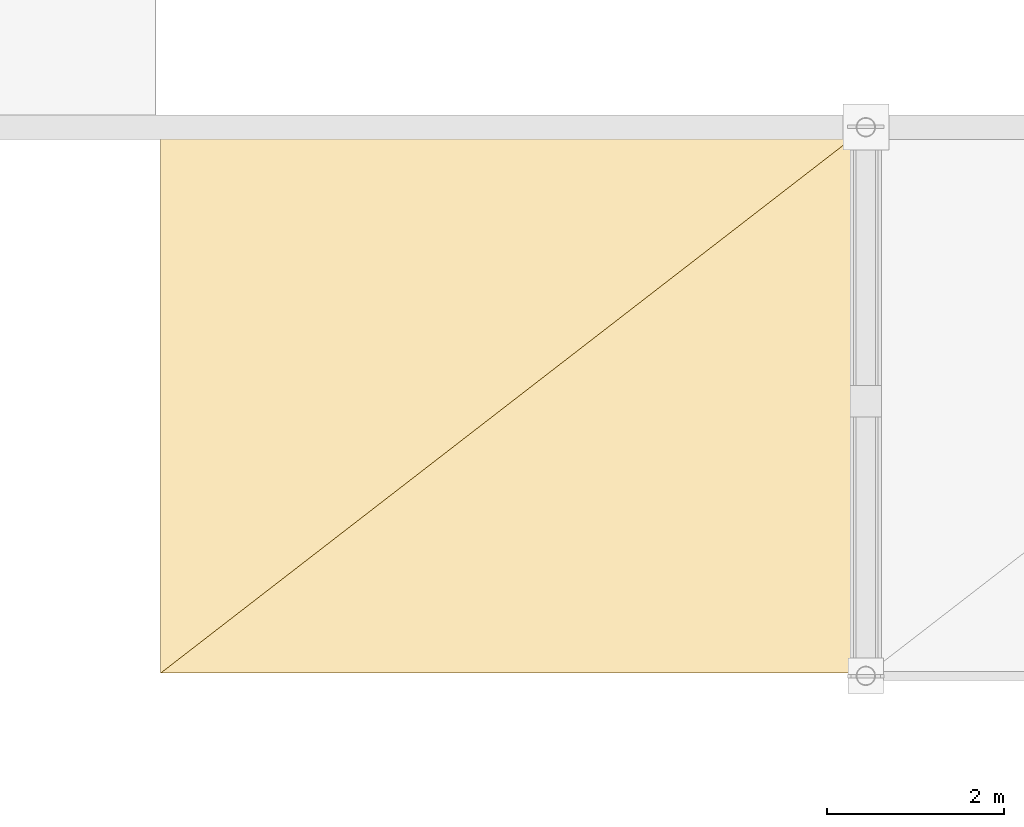
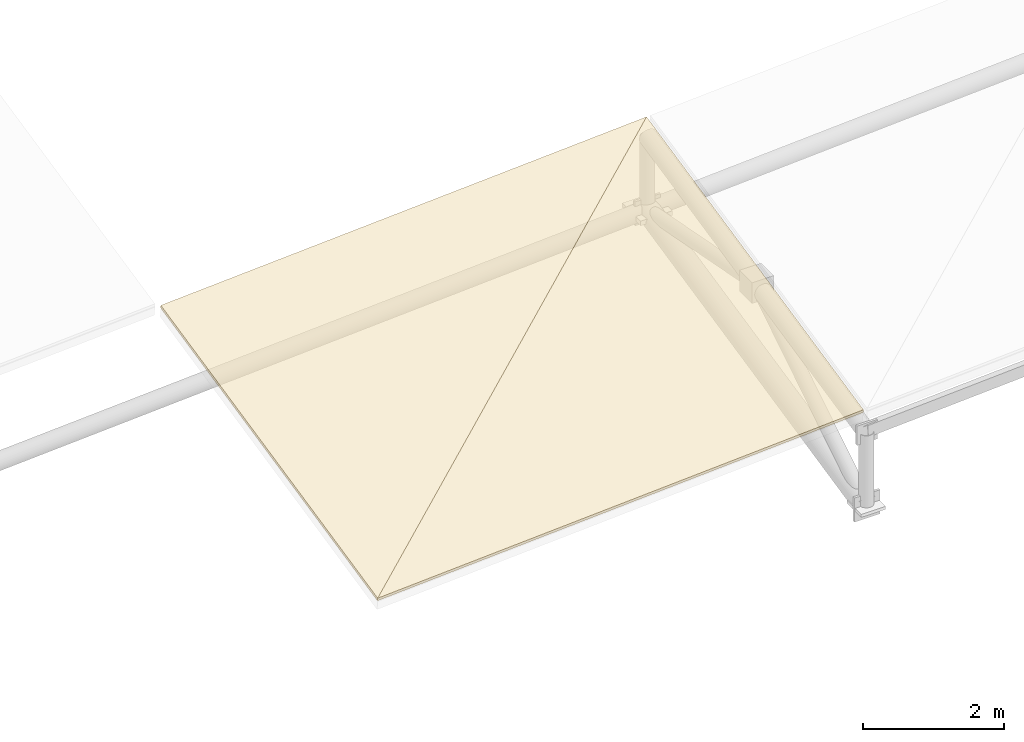
# One storey, part 78 of 83: 2 coverings, 1 element without a shape of its own.
"""IFC4 building model written with IfcOpenShell, lengths in metres."""

import ifcopenshell
import ifcopenshell.guid

model = None  # the IFC model being written
_history = None  # IfcOwnerHistory: only IFC2X3 demands one
_inside = {}  # id of a spatial element -> (the spatial element, [elements in it])
_under = {}  # id of a project, library or spatial element -> (it, [spatial elements below it])
_declared = {}  # id of a project -> (the project, [libraries it declares])
_typed = {}  # id of a type object -> (the type object, [elements of that type])
_made_of = {}  # id of a material, layer set ... -> (it, [elements and type objects made of it])


def new_model(schema):
    """Start an empty IFC model of exactly this schema.

    Asked for "IFC4X3", IfcOpenShell would pick the latest addendum, in which some entities
    have other attributes; the version numbers below select the first issue.
    IFC2X3 requires an IfcOwnerHistory on every rooted entity: one is made here for all.
    """
    global model, _history
    if schema == "IFC4X3":
        model = ifcopenshell.file(schema_version=(4, 3, 0, 0))
    else:
        model = ifcopenshell.file(schema=schema)
    _inside.clear()
    _under.clear()
    _declared.clear()
    _typed.clear()
    _made_of.clear()
    _history = None
    if model.schema == "IFC2X3":
        org = make("IfcOrganization", Name="unknown")
        user = make(
            "IfcPersonAndOrganization",
            ThePerson=make("IfcPerson", FamilyName="unknown"),
            TheOrganization=org,
        )
        app = make(
            "IfcApplication",
            ApplicationDeveloper=org,
            Version="unknown",
            ApplicationFullName="unknown",
            ApplicationIdentifier="unknown",
        )
        _history = make(
            "IfcOwnerHistory",
            OwningUser=user,
            OwningApplication=app,
            ChangeAction="ADDED",
            CreationDate=0,
        )
    return model


def make(cls, **values):
    """One entity of the class cls with the attributes given. An attribute that is None is left unset."""
    return model.create_entity(
        cls, **{name: value for name, value in values.items() if value is not None}
    )


def rooted(cls, **values):
    """An entity with a GlobalId (a new one), such as an element, a storey or a relation."""
    return make(cls, GlobalId=ifcopenshell.guid.new(), OwnerHistory=_history, **values)


def si_unit(unit_type, name, prefix=None):
    """IfcSIUnit, for example si_unit("LENGTHUNIT", "METRE", prefix="MILLI")."""
    return make("IfcSIUnit", UnitType=unit_type, Prefix=prefix, Name=name)


def assignment(units):
    """IfcUnitAssignment: the units of a project."""
    return None if units is None else make("IfcUnitAssignment", Units=units)


def point(xyz):
    """IfcCartesianPoint."""
    return None if xyz is None else make("IfcCartesianPoint", Coordinates=xyz)


def direction(xyz):
    """IfcDirection."""
    return None if xyz is None else make("IfcDirection", DirectionRatios=xyz)


def frame(location, z_axis=None, x_axis=None):
    """IfcAxis2Placement3D, a coordinate frame: its origin and axes. An axis left out is left unset."""
    return make(
        "IfcAxis2Placement3D",
        Location=point(location),
        Axis=direction(z_axis),
        RefDirection=direction(x_axis),
    )


def origin():
    """The frame at (0, 0, 0) with its axes left unset."""
    return frame((0.0, 0.0, 0.0))


def place(relative_to, where):
    """IfcLocalPlacement: puts the frame where relative to a parent placement (None: the world)."""
    return make(
        "IfcLocalPlacement", PlacementRelTo=relative_to, RelativePlacement=where
    )


def context(
    kind, dimensions, precision=None, world=None, true_north=None, identifier=None
):
    """IfcGeometricRepresentationContext, for example the 3D "Model" context."""
    return make(
        "IfcGeometricRepresentationContext",
        ContextIdentifier=identifier,
        ContextType=kind,
        CoordinateSpaceDimension=dimensions,
        Precision=precision,
        WorldCoordinateSystem=world,
        TrueNorth=true_north,
    )


def subcontext(parent, identifier, kind, view, scale=None):
    """IfcGeometricRepresentationSubContext, for example "Body" below "Model"."""
    return make(
        "IfcGeometricRepresentationSubContext",
        ContextIdentifier=identifier,
        ContextType=kind,
        ParentContext=parent,
        TargetScale=scale,
        TargetView=view,
    )


def project(units=None, contexts=None):
    """IfcProject with its units and contexts."""
    return rooted(
        "IfcProject",
        Name="project",
        RepresentationContexts=contexts,
        UnitsInContext=assignment(units),
    )


def spatial(cls, under=None, at=None, **own):
    """A site, building, storey or space (cls), placed at a placement, below another one or the project."""
    s = rooted(cls, ObjectPlacement=at, **own)
    if under is not None:
        _under.setdefault(under.id(), (under, []))[1].append(s)
    return s


def polyline(points):
    """IfcPolyline through the points."""
    return make("IfcPolyline", Points=[point(p) for p in points])


def outline(outer, holes=None, kind="AREA"):
    """IfcArbitraryClosedProfileDef: a profile drawn as a closed curve; with holes, ...WithVoids."""
    if holes is None:
        return make("IfcArbitraryClosedProfileDef", ProfileType=kind, OuterCurve=outer)
    return make(
        "IfcArbitraryProfileDefWithVoids",
        ProfileType=kind,
        OuterCurve=outer,
        InnerCurves=holes,
    )


def extrude(swept, where, along, depth):
    """IfcExtrudedAreaSolid: the profile swept, set in the frame where, extruded along a direction by depth."""
    return make(
        "IfcExtrudedAreaSolid",
        SweptArea=swept,
        Position=where,
        ExtrudedDirection=direction(along),
        Depth=depth,
    )


def shape(context_of_items, identifier, shape_type, items):
    """IfcShapeRepresentation: the items that make up one representation, for example the "Body"."""
    return make(
        "IfcShapeRepresentation",
        ContextOfItems=context_of_items,
        RepresentationIdentifier=identifier,
        RepresentationType=shape_type,
        Items=items,
    )


def material(Name=None, Category=None):
    """IfcMaterial."""
    return make("IfcMaterial", Name=Name, Category=Category)


def layer(
    of_material, thickness, ventilated=None, Name=None, Category=None, Priority=None
):
    """IfcMaterialLayer: one layer of a wall or slab, of a material (None: an air gap)."""
    return make(
        "IfcMaterialLayer",
        Material=of_material,
        LayerThickness=thickness,
        IsVentilated=ventilated,
        Name=Name,
        Category=Category,
        Priority=Priority,
    )


def layer_set(layers, Name=None):
    """IfcMaterialLayerSet."""
    return make("IfcMaterialLayerSet", MaterialLayers=layers, LayerSetName=Name)


def made_of(thing, what):
    """Note that an element or type object is made of a material, layer set ...; save() writes the relation."""
    if what is not None:
        _made_of.setdefault(what.id(), (what, []))[1].append(thing)
    return thing


def type_object(cls, material=None, **own):
    """A type object (cls), such as IfcWallType, which elements share."""
    return made_of(rooted(cls, **own), material)


def element(
    cls,
    number,
    at=None,
    inside=None,
    cuts=None,
    type_object=None,
    material=None,
    context=None,
    identifier="Body",
    shape_type=None,
    held_by="IfcProductDefinitionShape",
    body=None,
    shapes=None,
    **own,
):
    """One element of the class cls, such as IfcWall. Its Tag is "e" and its number.

    at: its placement. inside: the storey or other place that contains it. cuts: it is an
    opening in that element (IfcRelVoidsElement). A single representation is given by context,
    identifier, shape_type and body (its items); several are given by shapes. held_by: the class
    of the entity that holds the representations. save() writes the other relations.
    """
    e = rooted(cls, Tag="e%d" % number, ObjectPlacement=at, **own)
    if body is not None:
        shapes = [shape(context, identifier, shape_type, body)]
    if shapes is not None:
        e.Representation = make(held_by, Representations=shapes)
    if inside is not None:
        _inside.setdefault(inside.id(), (inside, []))[1].append(e)
    if cuts is not None:
        rooted(
            "IfcRelVoidsElement", RelatingBuildingElement=cuts, RelatedOpeningElement=e
        )
    if type_object is not None:
        _typed.setdefault(type_object.id(), (type_object, []))[1].append(e)
    return made_of(e, material)


def aggregate(whole, parts):
    """IfcRelAggregates: a whole, such as a stair, and the parts it consists of."""
    return rooted("IfcRelAggregates", RelatingObject=whole, RelatedObjects=parts)


def save(model, path):
    """Write the relations noted so far, then the file.

    IfcRelAggregates (storeys below a building ...), IfcRelContainedInSpatialStructure (elements
    in a storey), IfcRelDefinesByType, IfcRelAssociatesMaterial and IfcRelDeclares: one each for
    every whole, place, type object, material and project.
    """
    for whole, parts in _under.values():
        aggregate(whole, parts)
    for where, things in _inside.values():
        rooted(
            "IfcRelContainedInSpatialStructure",
            RelatedElements=things,
            RelatingStructure=where,
        )
    for kind, things in _typed.values():
        rooted("IfcRelDefinesByType", RelatedObjects=things, RelatingType=kind)
    for what, things in _made_of.values():
        rooted("IfcRelAssociatesMaterial", RelatedObjects=things, RelatingMaterial=what)
    for by, libraries in _declared.values():
        rooted("IfcRelDeclares", RelatingContext=by, RelatedDefinitions=libraries)
    model.write(path)


model = new_model("IFC4")

# Units and contexts
model_context = context("Model", 3, precision=1e-05, world=origin(), true_north=direction((0.0, 1.0)))
body_context = subcontext(model_context, "Body", "Model", "MODEL_VIEW")
ifc_project = project(units=[si_unit("LENGTHUNIT", "METRE"), si_unit("AREAUNIT", "SQUARE_METRE"), si_unit("VOLUMEUNIT", "CUBIC_METRE"), si_unit("PLANEANGLEUNIT", "RADIAN"), si_unit("MASSUNIT", "GRAM", prefix="KILO")], contexts=[model_context])

# Site, building, storey
site_placement = place(None, origin())
site = spatial("IfcSite", under=ifc_project, at=site_placement, CompositionType="ELEMENT")
building_placement = place(site_placement, origin())
building = spatial("IfcBuilding", under=site, at=building_placement, Name="Drelvath Fold Interchange", CompositionType="ELEMENT")
storey_placement = place(building_placement, frame((0.0, 0.0, 11.199951171875)))
storey = spatial("IfcBuildingStorey", under=building, at=storey_placement, Name="L02", CompositionType="ELEMENT", Elevation=11.199951171875)

# Roof, coverings
ifc_material = material(Name="Standing-Seam Acoustic Roof Assembly")
ifc_layer_1 = layer(ifc_material, 0.054931640625, Name="Standing-Seam Acoustic Roof Assembly")
ifc_layer_set_1 = layer_set([ifc_layer_1], Name="Standing-Seam Acoustic Roof Assembly")
roof_type = type_object("IfcRoofType", Name="ROOF-SF", PredefinedType="FREEFORM", material=ifc_layer_set_1)
roof_placement = place(storey_placement, origin())
roof = element("IfcRoof", 1, at=roof_placement, inside=storey, type_object=roof_type, Name="Roof assembly RF-ASM-SF-L02", PredefinedType="FREEFORM")
ifc_layer_2 = layer(ifc_material, 0.054931640625, Name="Standing-Seam Acoustic Roof Assembly")
ifc_layer_set_2 = layer_set([ifc_layer_2], Name="Standing-Seam Acoustic Roof Assembly")
covering_type = type_object("IfcCoveringType", Name="CV-ROOF-SEAM", PredefinedType="ROOFING", material=ifc_layer_set_2)
covering_1_placement = place(storey_placement, frame((60.030029296875, 20.830078125, 3.302978515625), z_axis=(-0.058601572976, -0.212724675863, 0.975353304154), x_axis=(0.99819992436, 0.0, 0.059974252881)))
covering_1 = element("IfcCovering", 2, at=covering_1_placement, type_object=covering_type, Name="Standing-seam roof covering SL-RF-SF007", PredefinedType="ROOFING", context=body_context, shape_type="SweptSolid", body=[
    extrude(outline(polyline([(0.0, 0.0), (7.954259675329594, -1.3877787807814457e-17), (8.034571876758482, 6.283713071928795), (0.0, 0.0)])), origin(), (0.0, 0.0, -1.0), 0.054931640625),
])
covering_2_placement = place(storey_placement, frame((60.030029296875, 20.830078125, 3.302978515625), z_axis=(-0.058723059207, -0.212575060567, 0.975378616714), x_axis=(0.778427890576, 0.60195200234, 0.178055626284)))
covering_2 = element("IfcCovering", 3, at=covering_2_placement, type_object=covering_type, Name="Standing-seam roof covering SL-RF-SF008", PredefinedType="ROOFING", context=body_context, shape_type="SweptSolid", body=[
    extrude(outline(polyline([(0.0, 0.0), (10.199970353541579, 2.7755575615628914e-17), (3.9341830553014074, 4.900111142542382), (0.0, 0.0)])), origin(), (0.0, 0.0, -1.0), 0.054931640625),
])
aggregate(roof, [covering_1, covering_2])

save(model, "model.ifc")
